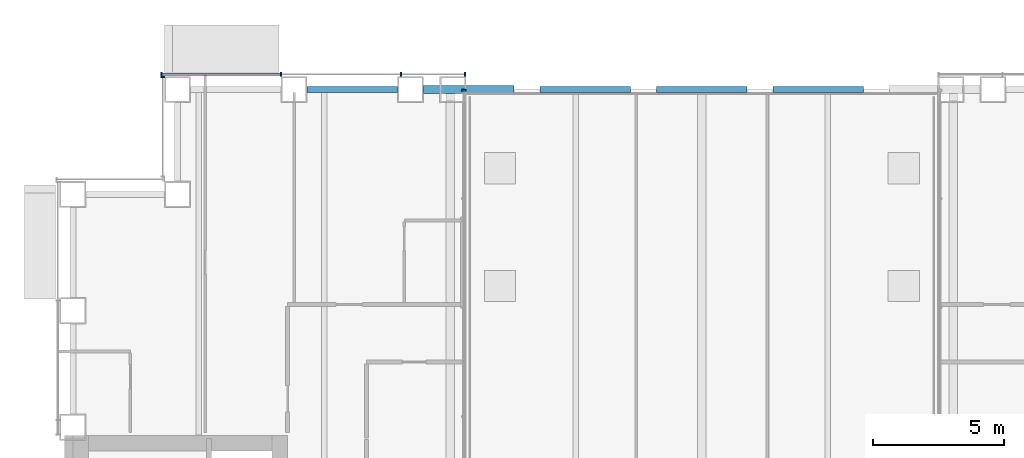
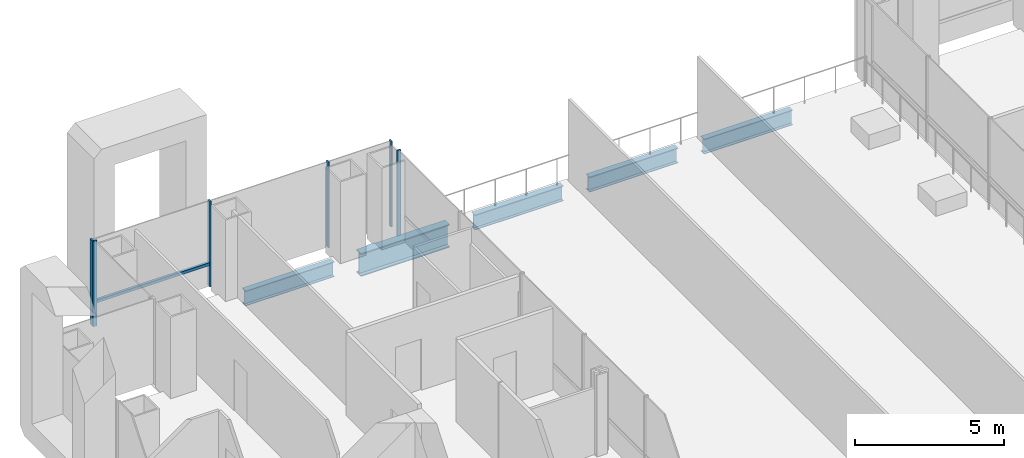
# One storey, part 9 of 24: 7 members, 5 beams, 3 elements without a shape of their own.
"""IFC4 building model written with IfcOpenShell, lengths in metres."""

from ifc_helpers import new_model, si_unit, direction, frame, origin, origin_2d, place, context, subcontext, project, spatial, rectangle, i_section, extrude, material, material_profile, profile_set, type_object, element, aggregate, save


model = new_model("IFC4")

# Units and contexts
model_context = context("Model", 3, precision=1e-05, world=origin(), true_north=direction((0.0, 1.0)))
body_context = subcontext(model_context, "Body", "Model", "MODEL_VIEW")
ifc_project = project(units=[si_unit("LENGTHUNIT", "METRE"), si_unit("AREAUNIT", "SQUARE_METRE"), si_unit("VOLUMEUNIT", "CUBIC_METRE"), si_unit("PLANEANGLEUNIT", "RADIAN"), si_unit("MASSUNIT", "GRAM", prefix="KILO")], contexts=[model_context])

# Site, building, storey
site_placement = place(None, origin())
site = spatial("IfcSite", under=ifc_project, at=site_placement, CompositionType="ELEMENT")
building_placement = place(site_placement, origin())
building = spatial("IfcBuilding", under=site, at=building_placement, Name="Cobrizo Arcos Hotel Tower", CompositionType="ELEMENT")
storey_placement = place(building_placement, frame((0.0, 0.0, 60.0)))
storey = spatial("IfcBuildingStorey", under=building, at=storey_placement, Name="L13", CompositionType="ELEMENT", Elevation=60.0)

# Curtain wall, members
ifc_material_1 = material(Name="Aluminium 6063-T6 anodised bronze", Category="aluminium")
curtain_wall_type_1 = type_object("IfcCurtainWallType", Name="CW-A guest facade", PredefinedType="NOTDEFINED", material=ifc_material_1)
curtain_wall_1_placement = place(storey_placement, origin())
curtain_wall_1 = element("IfcCurtainWall", 1, at=curtain_wall_1_placement, inside=storey, type_object=curtain_wall_type_1, Name="CW-A L13 N face", PredefinedType="NOTDEFINED")
ifc_material_profile_1 = material_profile(ifc_material_1, rectangle(XDim=0.14990234375, YDim=0.06005859375, at=origin_2d()), Name="CW-A mullion 150x60")
ifc_profile_set_1 = profile_set([ifc_material_profile_1], Name="Aluminium 6063-T6 anodised bronze")
member_type_1 = type_object("IfcMemberType", Name="CW-A mullion 150x60", PredefinedType="MULLION", material=ifc_profile_set_1)
member_1_placement = place(storey_placement, frame((-9.030029296875, 24.574951171875, 0.0), z_axis=(0.0, 0.0, 1.0), x_axis=(0.0, 1.0, 0.0)))
member_1 = element("IfcMember", 2, at=member_1_placement, type_object=member_type_1, Name="CW-A mullion 1", PredefinedType="MULLION", context=body_context, shape_type="SweptSolid", body=[
    extrude(rectangle(XDim=0.14990234375, YDim=0.06005859375, at=origin_2d()), origin(), (0.0, 0.0, 1.0), 3.5),
])
member_2_placement = place(storey_placement, frame((-11.47216796875, 24.574951171875, 0.0), z_axis=(0.0, 0.0, 1.0), x_axis=(0.0, 1.0, 0.0)))
member_2 = element("IfcMember", 3, at=member_2_placement, type_object=member_type_1, Name="CW-A mullion 2", PredefinedType="MULLION", context=body_context, shape_type="SweptSolid", body=[
    extrude(rectangle(XDim=0.14990234375, YDim=0.06005859375, at=origin_2d()), origin(), (0.0, 0.0, 1.0), 3.5),
])
member_3_placement = place(storey_placement, frame((-16.06103515625, 24.574951171875, 0.0), z_axis=(0.0, 0.0, 1.0), x_axis=(0.0, 1.0, 0.0)))
member_3 = element("IfcMember", 4, at=member_3_placement, type_object=member_type_1, Name="CW-A mullion 3", PredefinedType="MULLION", context=body_context, shape_type="SweptSolid", body=[
    extrude(rectangle(XDim=0.14990234375, YDim=0.06005859375, at=origin_2d()), origin(), (0.0, 0.0, 1.0), 3.5),
])
member_4_placement = place(storey_placement, frame((-20.6201171875, 24.574951171875, 0.0), z_axis=(0.0, 0.0, 1.0), x_axis=(0.0, 1.0, 0.0)))
member_4 = element("IfcMember", 5, at=member_4_placement, type_object=member_type_1, Name="CW-A mullion 4", PredefinedType="MULLION", context=body_context, shape_type="SweptSolid", body=[
    extrude(rectangle(XDim=0.14990234375, YDim=0.06005859375, at=origin_2d()), origin(), (0.0, 0.0, 1.0), 3.5),
])

# Curtain wall, member
curtain_wall_2_placement = place(storey_placement, origin())
curtain_wall_2 = element("IfcCurtainWall", 6, at=curtain_wall_2_placement, inside=storey, type_object=curtain_wall_type_1, Name="CW-A L13 W face", PredefinedType="NOTDEFINED")
member_5_placement = place(storey_placement, frame((-20.574951171875, 24.469970703125, 0.0), z_axis=(0.0, 0.0, 1.0), x_axis=(-1.0, 0.0, 0.0)))
member_5 = element("IfcMember", 7, at=member_5_placement, type_object=member_type_1, Name="CW-A mullion 1", PredefinedType="MULLION", context=body_context, shape_type="SweptSolid", body=[
    extrude(rectangle(XDim=0.14990234375, YDim=0.06005859375, at=origin_2d()), origin(), (0.0, 0.0, 1.0), 3.5),
])
aggregate(curtain_wall_2, [member_5])

# Member
ifc_material_profile_2 = material_profile(ifc_material_1, rectangle(XDim=0.10009765625, YDim=0.1201171875, at=origin_2d()), Name="CW-A transom 120x100")
ifc_profile_set_2 = profile_set([ifc_material_profile_2], Name="Aluminium 6063-T6 anodised bronze")
member_type_2 = type_object("IfcMemberType", Name="CW-A transom 120x100", PredefinedType="USERDEFINED", material=ifc_profile_set_2)
member_6_placement = place(storey_placement, frame((-16.091064453125, 24.574951171875, 0.929931640625), z_axis=(-1.0, 0.0, 0.0), x_axis=(0.0, -1.0, 0.0)))
member_6 = element("IfcMember", 8, at=member_6_placement, type_object=member_type_2, Name="CW-A transom 610", ObjectType="TRANSOM", PredefinedType="USERDEFINED", context=body_context, shape_type="SweptSolid", body=[
    extrude(rectangle(XDim=0.10009765625, YDim=0.1201171875, at=origin_2d()), origin(), (0.0, 0.0, 1.0), 4.4990234375),
])

aggregate(curtain_wall_1, [member_1, member_2, member_3, member_4, member_6])

# Curtain wall, member
curtain_wall_type_2 = type_object("IfcCurtainWallType", Name="CW-F void screen", PredefinedType="NOTDEFINED", material=ifc_material_1)
curtain_wall_3_placement = place(storey_placement, origin())
curtain_wall_3 = element("IfcCurtainWall", 9, at=curtain_wall_3_placement, inside=storey, type_object=curtain_wall_type_2, Name="CW-F L13 void screen A", PredefinedType="NOTDEFINED")
ifc_material_profile_3 = material_profile(ifc_material_1, rectangle(XDim=0.14990234375, YDim=0.06005859375, at=origin_2d()), Name="CW-F mullion 150x60")
ifc_profile_set_3 = profile_set([ifc_material_profile_3], Name="Aluminium 6063-T6 anodised bronze")
member_type_3 = type_object("IfcMemberType", Name="CW-F mullion 150x60", PredefinedType="MULLION", material=ifc_profile_set_3)
member_7_placement = place(storey_placement, frame((-9.074951171875, 23.969970703125, 0.0), z_axis=(0.0, 0.0, 1.0), x_axis=(-1.0, 0.0, 0.0)))
member_7 = element("IfcMember", 10, at=member_7_placement, type_object=member_type_3, Name="CW-F mullion 1", PredefinedType="MULLION", context=body_context, shape_type="SweptSolid", body=[
    extrude(rectangle(XDim=0.14990234375, YDim=0.06005859375, at=origin_2d()), origin(), (0.0, 0.0, 1.0), 3.5),
])
aggregate(curtain_wall_3, [member_7])

# Beams
ifc_material_2 = material(Name="Steel ASTM A992 Grade 50", Category="steel")
ifc_material_profile_4 = material_profile(ifc_material_2, i_section(OverallWidth=0.23046875, OverallDepth=0.6171875, WebThickness=0.01318359375, FlangeThickness=0.022216796875, at=origin_2d()), Name="W24X94")
ifc_profile_set_4 = profile_set([ifc_material_profile_4], Name="Steel ASTM A992 Grade 50")
beam_type_1 = type_object("IfcBeamType", Name="W24X94 spandrel", PredefinedType="SPANDREL", material=ifc_profile_set_4)
beam_1_placement = place(storey_placement, frame((6.1669921875, 24.0, -0.45849609375), z_axis=(-1.0, 0.0, 0.0), x_axis=(0.0, -1.0, 0.0)))
element("IfcBeam", 11, at=beam_1_placement, inside=storey, type_object=beam_type_1, Name="Spandrel beam W24X94, L13, no. 018", PredefinedType="SPANDREL", context=body_context, shape_type="SweptSolid", body=[
    extrude(i_section(OverallWidth=0.23046875, OverallDepth=0.6171875, WebThickness=0.01318359375, FlangeThickness=0.022216796875, at=origin_2d()), origin(), (0.0, 0.0, 1.0), 3.445068359375),
])
beam_2_placement = place(storey_placement, frame((1.721923828125, 24.0, -0.45849609375), z_axis=(-1.0, 0.0, 0.0), x_axis=(0.0, -1.0, 0.0)))
element("IfcBeam", 12, at=beam_2_placement, inside=storey, type_object=beam_type_1, Name="Spandrel beam W24X94, L13, no. 019", PredefinedType="SPANDREL", context=body_context, shape_type="SweptSolid", body=[
    extrude(i_section(OverallWidth=0.23046875, OverallDepth=0.6171875, WebThickness=0.01318359375, FlangeThickness=0.022216796875, at=origin_2d()), origin(), (0.0, 0.0, 1.0), 3.44384765625),
])
beam_3_placement = place(storey_placement, frame((-2.721923828125, 24.0, -0.45849609375), z_axis=(-1.0, 0.0, 0.0), x_axis=(0.0, -1.0, 0.0)))
element("IfcBeam", 13, at=beam_3_placement, inside=storey, type_object=beam_type_1, Name="Spandrel beam W24X94, L13, no. 020", PredefinedType="SPANDREL", context=body_context, shape_type="SweptSolid", body=[
    extrude(i_section(OverallWidth=0.23046875, OverallDepth=0.6171875, WebThickness=0.01318359375, FlangeThickness=0.022216796875, at=origin_2d()), origin(), (0.0, 0.0, 1.0), 3.445068359375),
])
beam_4_placement = place(storey_placement, frame((-11.611083984375, 24.0, -0.45849609375), z_axis=(-1.0, 0.0, 0.0), x_axis=(0.0, -1.0, 0.0)))
element("IfcBeam", 14, at=beam_4_placement, inside=storey, type_object=beam_type_1, Name="Spandrel beam W24X94, L13, no. 021", PredefinedType="SPANDREL", context=body_context, shape_type="SweptSolid", body=[
    extrude(i_section(OverallWidth=0.23046875, OverallDepth=0.6171875, WebThickness=0.01318359375, FlangeThickness=0.022216796875, at=origin_2d()), origin(), (0.0, 0.0, 1.0), 3.44482421875),
])
ifc_material_profile_5 = material_profile(ifc_material_2, i_section(OverallWidth=0.307373046875, OverallDepth=0.9423828125, WebThickness=0.022216796875, FlangeThickness=0.039794921875, at=origin_2d()), Name="W36X232")
ifc_profile_set_5 = profile_set([ifc_material_profile_5], Name="Steel ASTM A992 Grade 50")
beam_type_2 = type_object("IfcBeamType", Name="W36X232 spandrel transfer", PredefinedType="BEAM", material=ifc_profile_set_5)
beam_5_placement = place(storey_placement, frame((-7.1669921875, 24.0, -0.62109375), z_axis=(-1.0, 0.0, 0.0), x_axis=(0.0, -1.0, 0.0)))
element("IfcBeam", 15, at=beam_5_placement, inside=storey, type_object=beam_type_2, Name="Spandrel transfer beam ST1, L13, no. 004", PredefinedType="BEAM", context=body_context, shape_type="SweptSolid", body=[
    extrude(i_section(OverallWidth=0.307373046875, OverallDepth=0.9423828125, WebThickness=0.022216796875, FlangeThickness=0.039794921875, at=origin_2d()), origin(), (0.0, 0.0, 1.0), 3.444091796875),
])

save(model, "model.ifc")
